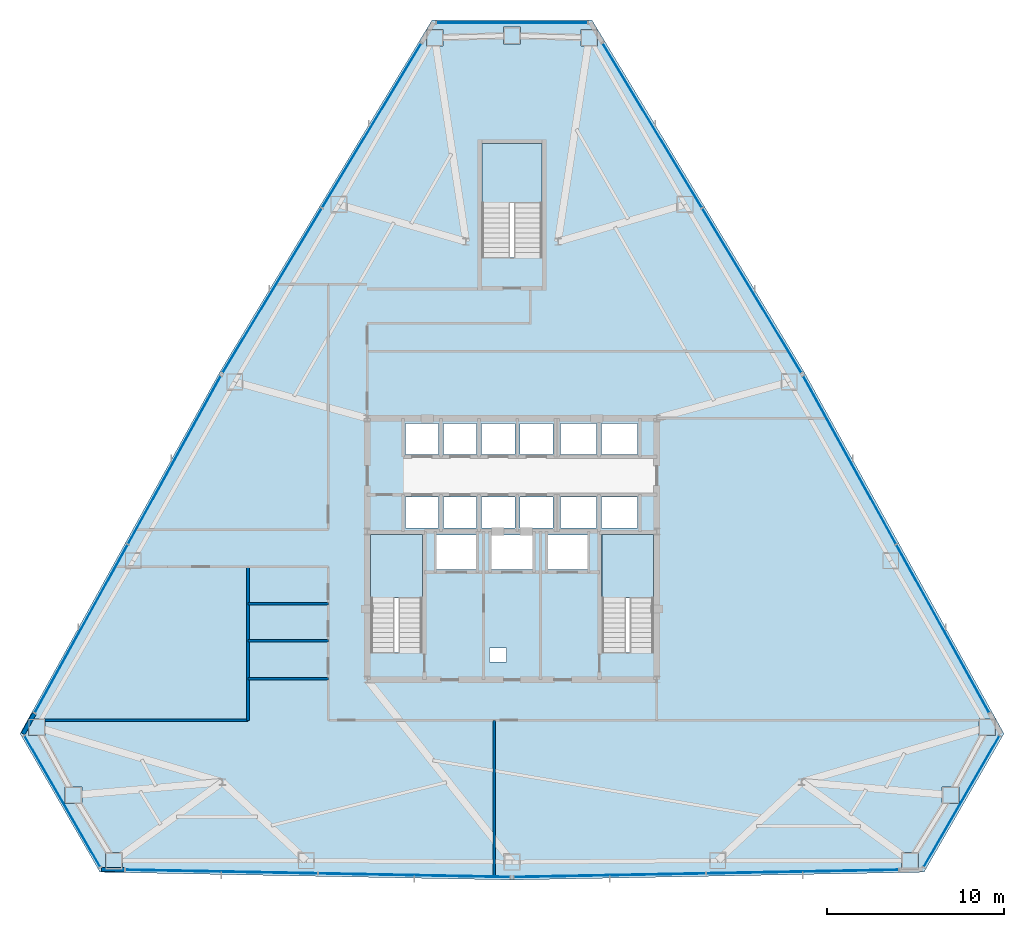
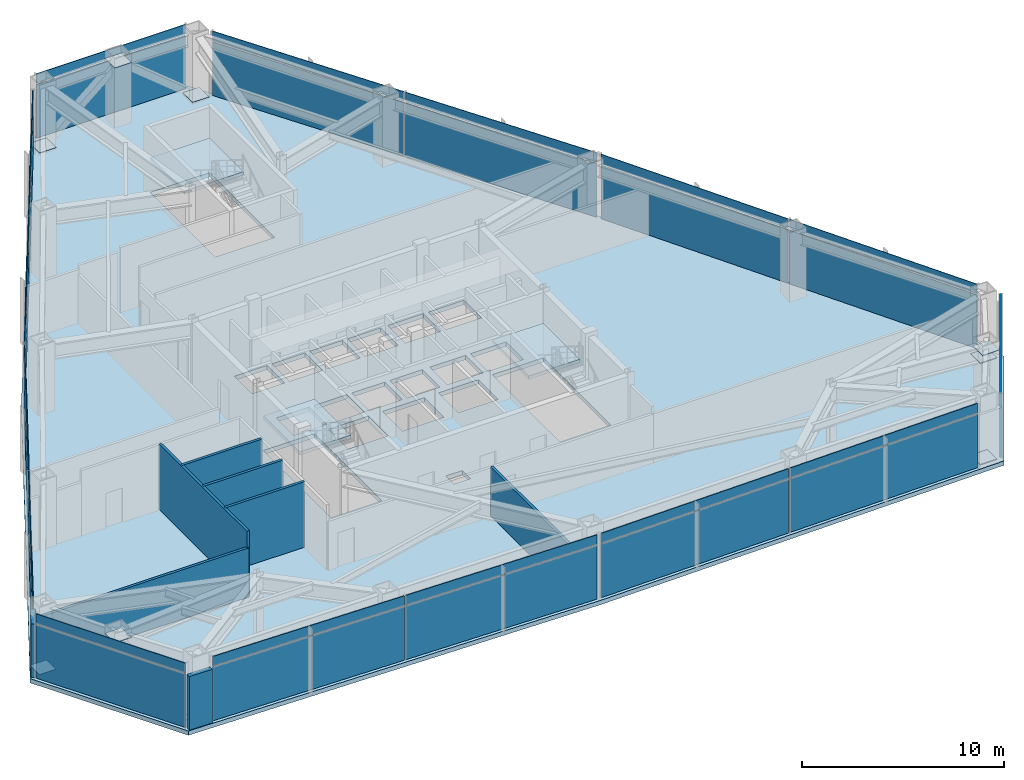
# One storey, part 9 of 13: 39 plates, 8 walls, 4 slabs, 12 elements without a shape of their own.
"""IFC4 building model written with IfcOpenShell, lengths in metres."""

from ifc_helpers import new_model, si_unit, direction, frame, frame_2d, origin, origin_2d, place, context, subcontext, project, spatial, polyline, rectangle, outline, extrude, source, transform, mapped, material, layer, layer_set, type_object, type_shapes, element, aggregate, save


model = new_model("IFC4")

# Units and contexts
model_context = context("Model", 3, precision=1e-05, world=origin(), true_north=direction((0.0, 1.0)))
body_context = subcontext(model_context, "Body", "Model", "MODEL_VIEW")
ifc_project = project(units=[si_unit("LENGTHUNIT", "METRE"), si_unit("AREAUNIT", "SQUARE_METRE"), si_unit("VOLUMEUNIT", "CUBIC_METRE"), si_unit("PLANEANGLEUNIT", "RADIAN"), si_unit("MASSUNIT", "GRAM", prefix="KILO")], contexts=[model_context])

# Site, building, storey
site_placement = place(None, origin())
site = spatial("IfcSite", under=ifc_project, at=site_placement, CompositionType="ELEMENT")
building_placement = place(site_placement, origin())
building = spatial("IfcBuilding", under=site, at=building_placement, Name="Varakhsha Concourse Tower", CompositionType="ELEMENT")
storey_placement = place(building_placement, frame((0.0, 0.0, 111.800048828125)))
storey = spatial("IfcBuildingStorey", under=building, at=storey_placement, Name="L32", CompositionType="ELEMENT", Elevation=111.800048828125)

# Slab
ifc_material_1 = material(Name="Concrete fc 45 MPa", Category="concrete")
ifc_layer_1 = layer(ifc_material_1, 0.260009765625, Name="SL-FLR-260")
ifc_layer_set_1 = layer_set([ifc_layer_1], Name="Concrete fc 45 MPa")
slab_type_1 = type_object("IfcSlabType", Name="SL-FLR-260", PredefinedType="FLOOR", material=ifc_layer_set_1)
slab_1_placement = place(storey_placement, frame((0.0, 0.0, -0.260009765625)))
element("IfcSlab", 1, at=slab_1_placement, inside=storey, type_object=slab_type_1, Name="L32 Composite Structural Slab", PredefinedType="FLOOR", context=body_context, shape_type="SweptSolid", body=[
    extrude(outline(polyline([(44.528564453125, 53.75634765625), (35.471435546875, 53.75634765625), (23.423095703125, 33.770751953125), (12.13916015625, 13.34375), (16.667724609375, 5.5), (40.0, 5.05859375), (63.332275390625, 5.5), (67.86083984375, 13.34375), (56.576904296875, 33.770751953125), (44.528564453125, 53.75634765625)]), holes=[polyline([(34.919921875, 17.93994140625), (34.919921875, 24.6298828125), (32.0, 24.6298828125), (32.0, 17.93994140625), (34.919921875, 17.93994140625)]), polyline([(48.02001953125, 17.93994140625), (48.02001953125, 24.6298828125), (45.10009765625, 24.6298828125), (45.10009765625, 17.93994140625), (48.02001953125, 17.93994140625)]), polyline([(41.699951171875, 40.300048828125), (41.699951171875, 46.75), (38.300048828125, 46.75), (38.300048828125, 40.300048828125), (41.699951171875, 40.300048828125)]), polyline([(33.9599609375, 29.159912109375), (35.840087890625, 29.159912109375), (35.840087890625, 30.89990234375), (33.9599609375, 30.89990234375), (33.9599609375, 29.159912109375)]), polyline([(36.1201171875, 29.159912109375), (38.0, 29.159912109375), (38.0, 30.89990234375), (36.1201171875, 30.89990234375), (36.1201171875, 29.159912109375)]), polyline([(38.280029296875, 29.159912109375), (40.159912109375, 29.159912109375), (40.159912109375, 30.89990234375), (38.280029296875, 30.89990234375), (38.280029296875, 29.159912109375)]), polyline([(40.43994140625, 29.159912109375), (42.320068359375, 29.159912109375), (42.320068359375, 30.89990234375), (40.43994140625, 30.89990234375), (40.43994140625, 29.159912109375)]), polyline([(33.9599609375, 25.0), (35.840087890625, 25.0), (35.840087890625, 26.739990234375), (33.9599609375, 26.739990234375), (33.9599609375, 25.0)]), polyline([(36.1201171875, 25.0), (38.0, 25.0), (38.0, 26.739990234375), (36.1201171875, 26.739990234375), (36.1201171875, 25.0)]), polyline([(38.280029296875, 25.0), (40.159912109375, 25.0), (40.159912109375, 26.739990234375), (38.280029296875, 26.739990234375), (38.280029296875, 25.0)]), polyline([(40.43994140625, 25.0), (42.320068359375, 25.0), (42.320068359375, 26.739990234375), (40.43994140625, 26.739990234375), (40.43994140625, 25.0)]), polyline([(42.739990234375, 29.159912109375), (44.780029296875, 29.159912109375), (44.780029296875, 30.89990234375), (42.739990234375, 30.89990234375), (42.739990234375, 29.159912109375)]), polyline([(45.06005859375, 29.159912109375), (47.10009765625, 29.159912109375), (47.10009765625, 30.89990234375), (45.06005859375, 30.89990234375), (45.06005859375, 29.159912109375)]), polyline([(42.739990234375, 25.0), (44.780029296875, 25.0), (44.780029296875, 26.739990234375), (42.739990234375, 26.739990234375), (42.739990234375, 25.0)]), polyline([(45.06005859375, 25.0), (47.10009765625, 25.0), (47.10009765625, 26.739990234375), (45.06005859375, 26.739990234375), (45.06005859375, 25.0)]), polyline([(35.7099609375, 22.639892578125), (37.989990234375, 22.639892578125), (37.989990234375, 24.60009765625), (35.7099609375, 24.60009765625), (35.7099609375, 22.639892578125)]), polyline([(42.010009765625, 22.639892578125), (44.2900390625, 22.639892578125), (44.2900390625, 24.60009765625), (42.010009765625, 24.60009765625), (42.010009765625, 22.639892578125)]), polyline([(38.81005859375, 22.639892578125), (41.18994140625, 22.639892578125), (41.18994140625, 24.60009765625), (38.81005859375, 24.60009765625), (38.81005859375, 22.639892578125)]), polyline([(38.719970703125, 17.39990234375), (39.679931640625, 17.39990234375), (39.679931640625, 18.199951171875), (38.719970703125, 18.199951171875), (38.719970703125, 17.39990234375)])]), origin(), (0.0, 0.0, 1.0), 0.260009765625),
])

# Stair, slab
stair_type_1 = type_object("IfcStairType", Name="ST-DOGLEG-1360", PredefinedType="HALF_TURN_STAIR", material=ifc_material_1)
stair_1_placement = place(storey_placement, origin())
stair_1 = element("IfcStair", 2, at=stair_1_placement, inside=storey, type_object=stair_type_1, Name="L32 Protected Exit Stair ST1", PredefinedType="HALF_TURN_STAIR")
ifc_layer_2 = layer(ifc_material_1, 0.199951171875, Name="SL-LAND-200")
ifc_layer_set_2 = layer_set([ifc_layer_2], Name="Concrete fc 45 MPa")
slab_type_2 = type_object("IfcSlabType", Name="SL-LAND-200", PredefinedType="LANDING", material=ifc_layer_set_2)
slab_2_placement = place(storey_placement, frame((0.0, 0.0, 1.89990234375)))
slab_2 = element("IfcSlab", 3, at=slab_2_placement, type_object=slab_type_2, Name="ST1 landing 1", PredefinedType="LANDING", context=body_context, shape_type="SweptSolid", body=[
    extrude(outline(polyline([(34.919921875, 21.02001953125), (34.919921875, 24.6298828125), (32.0, 24.6298828125), (32.0, 21.02001953125), (34.919921875, 21.02001953125)])), origin(), (0.0, 0.0, 1.0), 0.199951171875),
])
aggregate(stair_1, [slab_2])

stair_2_placement = place(storey_placement, origin())
stair_2 = element("IfcStair", 4, at=stair_2_placement, inside=storey, type_object=stair_type_1, Name="L32 Protected Exit Stair ST2", PredefinedType="HALF_TURN_STAIR")
slab_3_placement = place(storey_placement, frame((0.0, 0.0, 1.89990234375)))
slab_3 = element("IfcSlab", 5, at=slab_3_placement, type_object=slab_type_2, Name="ST2 landing 1", PredefinedType="LANDING", context=body_context, shape_type="SweptSolid", body=[
    extrude(outline(polyline([(48.02001953125, 21.02001953125), (48.02001953125, 24.6298828125), (45.10009765625, 24.6298828125), (45.10009765625, 21.02001953125), (48.02001953125, 21.02001953125)])), origin(), (0.0, 0.0, 1.0), 0.199951171875),
])
aggregate(stair_2, [slab_3])

stair_type_2 = type_object("IfcStairType", Name="ST-DOGLEG-1600", PredefinedType="HALF_TURN_STAIR", material=ifc_material_1)
stair_3_placement = place(storey_placement, origin())
stair_3 = element("IfcStair", 6, at=stair_3_placement, inside=storey, type_object=stair_type_2, Name="L32 Protected Exit Stair ST5", PredefinedType="HALF_TURN_STAIR")
slab_4_placement = place(storey_placement, frame((0.0, 0.0, 1.89990234375)))
slab_4 = element("IfcSlab", 7, at=slab_4_placement, type_object=slab_type_2, Name="ST5 landing 1", PredefinedType="LANDING", context=body_context, shape_type="SweptSolid", body=[
    extrude(outline(polyline([(41.699951171875, 43.3798828125), (41.699951171875, 46.75), (38.300048828125, 46.75), (38.300048828125, 43.3798828125), (41.699951171875, 43.3798828125)])), origin(), (0.0, 0.0, 1.0), 0.199951171875),
])
aggregate(stair_3, [slab_4])

# Plates
ifc_material_2 = material(Name="Structural Steel ASTM A572 Grade 50", Category="steel")
ifc_layer_3 = layer(ifc_material_2, 0.030029296875, Name="PL-ENDCAP-950")
ifc_layer_set_3 = layer_set([ifc_layer_3], Name="Structural Steel ASTM A572 Grade 50")
plate_type_1 = type_object("IfcPlateType", Name="PL-ENDCAP-950", PredefinedType="USERDEFINED", material=ifc_layer_set_3)
shared_shape_1 = source(origin(), body_context, "Body", "SweptSolid", [
    extrude(rectangle(XDim=0.949951171875, YDim=0.949951171875, at=origin_2d()), origin(), (0.0, 0.0, 1.0), 0.030029296875),
])
type_shapes(plate_type_1, [shared_shape_1])
for number, where, z_axis, x_axis, name in (
    (8, (44.375244140625, 52.756103515625, 0.10498046875), (0.0, 0.0, 1.0), (1.0, 0.0, 0.0), "Hollow Section End Cap GP-NODE-L32-0304"),
    (9, (40.0, 52.876220703125, 3.64501953125), (0.0, 0.0, 1.0), (1.0, 0.0, 0.0), "Hollow Section End Cap GP-NODE-L32-0305"),
    (10, (35.624755859375, 52.756103515625, 0.10498046875), (0.0, 0.0, 1.0), (1.0, 0.0, 0.0), "Hollow Section End Cap GP-NODE-L32-0306"),
    (11, (13.08203125, 13.711181640625, 0.10498046875), (0.0, 0.0, 1.0), (1.0, 0.0, 0.0), "Hollow Section End Cap GP-NODE-L32-0307"),
    (12, (15.16552734375, 9.86181640625, 3.64501953125), (0.0, 0.0, 1.0), (1.0, 0.0, 0.0), "Hollow Section End Cap GP-NODE-L32-0308"),
    (13, (17.45751953125, 6.1328125, 0.10498046875), (0.0, 0.0, 1.0), (1.0, 0.0, 0.0), "Hollow Section End Cap GP-NODE-L32-0309"),
    (14, (62.54248046875, 6.1328125, 0.10498046875), (0.0, 0.0, 1.0), (1.0, 0.0, 0.0), "Hollow Section End Cap GP-NODE-L32-0310"),
    (15, (64.83447265625, 9.86181640625, 3.64501953125), (0.0, 0.0, 1.0), (1.0, 0.0, 0.0), "Hollow Section End Cap GP-NODE-L32-0311"),
    (16, (66.91796875, 13.711181640625, 0.10498046875), (0.0, 0.0, 1.0), (1.0, 0.0, 0.0), "Hollow Section End Cap GP-NODE-L32-0312"),
):
    element("IfcPlate", number, at=place(storey_placement, frame(where, z_axis=z_axis, x_axis=x_axis)), inside=storey, type_object=plate_type_1, Name=name, ObjectType="END PLATE", PredefinedType="USERDEFINED", context=body_context, shape_type="MappedRepresentation", body=[
        mapped(shared_shape_1, transform((0.0, 0.0, 0.0), scale=1.0)),
    ])

# Curtain wall, plate
ifc_material_3 = material(Name="Anodised Bronze Architectural Aluminium AA 6063-T6", Category="aluminium")
ifc_layer_4 = layer(ifc_material_3, 0.2099609375, Name="CW-SYS-04")
ifc_layer_set_4 = layer_set([ifc_layer_4], Name="Anodised Bronze Architectural Aluminium AA 6063-T6")
curtain_wall_type = type_object("IfcCurtainWallType", Name="CW-SYS-04", PredefinedType="NOTDEFINED", material=ifc_layer_set_4)
curtain_wall_1_placement = place(storey_placement, origin())
curtain_wall_1 = element("IfcCurtainWall", 17, at=curtain_wall_1_placement, inside=storey, type_object=curtain_wall_type, Name="L32 Chamfer Curtain Wall F1", PredefinedType="NOTDEFINED")
ifc_material_4 = material(Name="Insulated Anodised Bronze Aluminium Spandrel 36 mm", Category="aluminium")
ifc_layer_5 = layer(ifc_material_4, 0.035888671875, Name="CWP-SPN-36")
ifc_layer_set_5 = layer_set([ifc_layer_5], Name="Insulated Anodised Bronze Aluminium Spandrel 36 mm")
plate_type_2 = type_object("IfcPlateType", Name="CWP-SPN-36", PredefinedType="USERDEFINED", material=ifc_layer_set_5)
shared_shape_2 = source(origin(), body_context, "Body", "SweptSolid", [
    extrude(rectangle(XDim=8.5380859375, YDim=0.035888671875, at=origin_2d()), origin(), (0.0, 0.0, 1.0), 3.240966796875),
])
type_shapes(plate_type_2, [shared_shape_2])
plate_1_placement = place(storey_placement, frame((40.0, 53.59619140625, 0.03466796875), z_axis=(0.0, 0.0, 1.0), x_axis=(1.0, 0.0, 0.0)))
plate_1 = element("IfcPlate", 18, at=plate_1_placement, type_object=plate_type_2, Name="CW-L32-F1 Panel 00-00", ObjectType="SPANDREL", PredefinedType="USERDEFINED", context=body_context, shape_type="MappedRepresentation", body=[
    mapped(shared_shape_2, transform((0.0, 0.0, 0.0), scale=1.0)),
])

curtain_wall_2_placement = place(storey_placement, origin())
curtain_wall_2 = element("IfcCurtainWall", 19, at=curtain_wall_2_placement, inside=storey, type_object=curtain_wall_type, Name="L32 Chamfer Curtain Wall F4", PredefinedType="NOTDEFINED")
plate_2_placement = place(storey_placement, frame((14.5419921875, 9.501953125, 0.03466796875), z_axis=(0.0, 0.0, 1.0), x_axis=(-0.499992442484, 0.866029767075, 0.0)))
plate_2 = element("IfcPlate", 20, at=plate_2_placement, type_object=plate_type_2, Name="CW-L32-F4 Panel 00-00", ObjectType="SPANDREL", PredefinedType="USERDEFINED", context=body_context, shape_type="MappedRepresentation", body=[
    mapped(shared_shape_2, transform((0.0, 0.0, 0.0), scale=1.0)),
])

curtain_wall_3_placement = place(storey_placement, origin())
curtain_wall_3 = element("IfcCurtainWall", 21, at=curtain_wall_3_placement, inside=storey, type_object=curtain_wall_type, Name="L32 Chamfer Curtain Wall F7", PredefinedType="NOTDEFINED")
plate_3_placement = place(storey_placement, frame((65.4580078125, 9.501953125, 0.03466796875), z_axis=(0.0, 0.0, 1.0), x_axis=(-0.499992442484, -0.866029767075, 0.0)))
plate_3 = element("IfcPlate", 22, at=plate_3_placement, type_object=plate_type_2, Name="CW-L32-F7 Panel 00-00", ObjectType="SPANDREL", PredefinedType="USERDEFINED", context=body_context, shape_type="MappedRepresentation", body=[
    mapped(shared_shape_2, transform((0.0, 0.0, 0.0), scale=1.0)),
])

# Plate
ifc_material_5 = material(Name="Glazed Turquoise-Bronze Ceramic Spandrel Panel 38 mm", Category="ceramic")
ifc_layer_6 = layer(ifc_material_5, 0.0380859375, Name="CWP-SPN-38")
ifc_layer_set_6 = layer_set([ifc_layer_6], Name="Glazed Turquoise-Bronze Ceramic Spandrel Panel 38 mm")
plate_type_3 = type_object("IfcPlateType", Name="CWP-SPN-38", PredefinedType="USERDEFINED", material=ifc_layer_set_6)
shared_shape_3 = source(origin(), body_context, "Body", "SweptSolid", [
    extrude(rectangle(XDim=8.5380859375, YDim=0.0380859375, at=origin_2d()), origin(), (0.0, 0.0, 1.0), 0.5810546875),
])
plate_4_placement = place(storey_placement, frame((40.0, 53.59619140625, 3.344482421875), z_axis=(0.0, 0.0, 1.0), x_axis=(1.0, 0.0, 0.0)))
plate_4 = element("IfcPlate", 23, at=plate_4_placement, type_object=plate_type_3, Name="CW-L32-F1 Panel 00-01", ObjectType="SPANDREL", PredefinedType="USERDEFINED", context=body_context, shape_type="MappedRepresentation", body=[
    mapped(shared_shape_3, transform((0.0, 0.0, 0.0), scale=1.0)),
])

aggregate(curtain_wall_1, [plate_1, plate_4])

plate_5_placement = place(storey_placement, frame((14.5419921875, 9.501953125, 3.344482421875), z_axis=(0.0, 0.0, 1.0), x_axis=(-0.499992442484, 0.866029767075, 0.0)))
plate_5 = element("IfcPlate", 24, at=plate_5_placement, type_object=plate_type_3, Name="CW-L32-F4 Panel 00-01", ObjectType="SPANDREL", PredefinedType="USERDEFINED", context=body_context, shape_type="MappedRepresentation", body=[
    mapped(shared_shape_3, transform((0.0, 0.0, 0.0), scale=1.0)),
])

aggregate(curtain_wall_2, [plate_2, plate_5])

plate_6_placement = place(storey_placement, frame((65.4580078125, 9.501953125, 3.344482421875), z_axis=(0.0, 0.0, 1.0), x_axis=(-0.499992442484, -0.866029767075, 0.0)))
plate_6 = element("IfcPlate", 25, at=plate_6_placement, type_object=plate_type_3, Name="CW-L32-F7 Panel 00-01", ObjectType="SPANDREL", PredefinedType="USERDEFINED", context=body_context, shape_type="MappedRepresentation", body=[
    mapped(shared_shape_3, transform((0.0, 0.0, 0.0), scale=1.0)),
])

aggregate(curtain_wall_3, [plate_3, plate_6])

# Curtain wall, plates
curtain_wall_4_placement = place(storey_placement, origin())
curtain_wall_4 = element("IfcCurtainWall", 26, at=curtain_wall_4_placement, inside=storey, type_object=curtain_wall_type, Name="L32 Crystal Curtain Wall F2", PredefinedType="NOTDEFINED")
ifc_material_6 = material(Name="Low-E Triple Insulating Glass IGU 44 mm", Category="glass")
ifc_layer_7 = layer(ifc_material_6, 0.0439453125, Name="CWP-IGU-44")
ifc_layer_set_7 = layer_set([ifc_layer_7], Name="Low-E Triple Insulating Glass IGU 44 mm")
plate_type_4 = type_object("IfcPlateType", Name="CWP-IGU-44", PredefinedType="CURTAIN_PANEL", material=ifc_layer_set_7)
shared_shape_4 = source(origin(), body_context, "Body", "SweptSolid", [
    extrude(rectangle(XDim=10.839111328125, YDim=0.0439453125, at=origin_2d()), origin(), (0.0, 0.0, 1.0), 3.240966796875),
])
plate_7_placement = place(storey_placement, frame((26.419921875, 38.431884765625, 0.03466796875), z_axis=(0.0, 0.0, 1.0), x_axis=(0.516289709685, 0.856413997827, 0.0)))
plate_7 = element("IfcPlate", 27, at=plate_7_placement, type_object=plate_type_4, Name="CW-L32-F2 Panel 00-00", PredefinedType="CURTAIN_PANEL", context=body_context, shape_type="MappedRepresentation", body=[
    mapped(shared_shape_4, transform((0.0, 0.0, 0.0), scale=1.0)),
])
plate_8_placement = place(storey_placement, frame((32.056884765625, 47.782470703125, 0.03466796875), z_axis=(0.0, 0.0, 1.0), x_axis=(0.516289709685, 0.856413997827, 0.0)))
plate_8 = element("IfcPlate", 28, at=plate_8_placement, type_object=plate_type_4, Name="CW-L32-F2 Panel 01-00", PredefinedType="CURTAIN_PANEL", context=body_context, shape_type="MappedRepresentation", body=[
    mapped(shared_shape_4, transform((0.0, 0.0, 0.0), scale=1.0)),
])

# Curtain wall, plate
curtain_wall_5_placement = place(storey_placement, origin())
curtain_wall_5 = element("IfcCurtainWall", 29, at=curtain_wall_5_placement, inside=storey, type_object=curtain_wall_type, Name="L32 Crystal Curtain Wall F3", PredefinedType="NOTDEFINED")
plate_9_placement = place(storey_placement, frame((20.884765625, 28.8447265625, 0.03466796875), z_axis=(0.0, 0.0, 1.0), x_axis=(0.483536006627, 0.875324471436, 0.0)))
plate_9 = element("IfcPlate", 30, at=plate_9_placement, type_object=plate_type_4, Name="CW-L32-F3 Panel 01-00", PredefinedType="CURTAIN_PANEL", context=body_context, shape_type="MappedRepresentation", body=[
    mapped(shared_shape_4, transform((0.0, 0.0, 0.0), scale=1.0)),
])

# Curtain wall, plates
curtain_wall_6_placement = place(storey_placement, origin())
curtain_wall_6 = element("IfcCurtainWall", 31, at=curtain_wall_6_placement, inside=storey, type_object=curtain_wall_type, Name="L32 Crystal Curtain Wall F5", PredefinedType="NOTDEFINED")
plate_10_placement = place(storey_placement, frame((34.46484375, 5.323486328125, 0.03466796875), z_axis=(0.0, 0.0, 1.0), x_axis=(-0.99982119913, 0.018909515352, 0.0)))
plate_10 = element("IfcPlate", 32, at=plate_10_placement, type_object=plate_type_4, Name="CW-L32-F5 Panel 00-00", PredefinedType="CURTAIN_PANEL", context=body_context, shape_type="MappedRepresentation", body=[
    mapped(shared_shape_4, transform((0.0, 0.0, 0.0), scale=1.0)),
])
plate_11_placement = place(storey_placement, frame((23.548583984375, 5.52978515625, 0.03466796875), z_axis=(0.0, 0.0, 1.0), x_axis=(-0.99982119913, 0.018909515352, 0.0)))
plate_11 = element("IfcPlate", 33, at=plate_11_placement, type_object=plate_type_4, Name="CW-L32-F5 Panel 01-00", PredefinedType="CURTAIN_PANEL", context=body_context, shape_type="MappedRepresentation", body=[
    mapped(shared_shape_4, transform((0.0, 0.0, 0.0), scale=1.0)),
])

curtain_wall_7_placement = place(storey_placement, origin())
curtain_wall_7 = element("IfcCurtainWall", 34, at=curtain_wall_7_placement, inside=storey, type_object=curtain_wall_type, Name="L32 Crystal Curtain Wall F6", PredefinedType="NOTDEFINED")
plate_12_placement = place(storey_placement, frame((56.451416015625, 5.52978515625, 0.03466796875), z_axis=(0.0, 0.0, 1.0), x_axis=(-0.99982119913, -0.018909515352, 0.0)))
plate_12 = element("IfcPlate", 35, at=plate_12_placement, type_object=plate_type_4, Name="CW-L32-F6 Panel 00-00", PredefinedType="CURTAIN_PANEL", context=body_context, shape_type="MappedRepresentation", body=[
    mapped(shared_shape_4, transform((0.0, 0.0, 0.0), scale=1.0)),
])
plate_13_placement = place(storey_placement, frame((45.53515625, 5.323486328125, 0.03466796875), z_axis=(0.0, 0.0, 1.0), x_axis=(-0.99982119913, -0.018909515352, 0.0)))
plate_13 = element("IfcPlate", 36, at=plate_13_placement, type_object=plate_type_4, Name="CW-L32-F6 Panel 01-00", PredefinedType="CURTAIN_PANEL", context=body_context, shape_type="MappedRepresentation", body=[
    mapped(shared_shape_4, transform((0.0, 0.0, 0.0), scale=1.0)),
])

# Curtain wall, plate
curtain_wall_8_placement = place(storey_placement, origin())
curtain_wall_8 = element("IfcCurtainWall", 37, at=curtain_wall_8_placement, inside=storey, type_object=curtain_wall_type, Name="L32 Crystal Curtain Wall F8", PredefinedType="NOTDEFINED")
plate_14_placement = place(storey_placement, frame((64.39453125, 19.287841796875, 0.03466796875), z_axis=(0.0, 0.0, 1.0), x_axis=(0.483536006627, -0.875324471436, 0.0)))
plate_14 = element("IfcPlate", 38, at=plate_14_placement, type_object=plate_type_4, Name="CW-L32-F8 Panel 01-00", PredefinedType="CURTAIN_PANEL", context=body_context, shape_type="MappedRepresentation", body=[
    mapped(shared_shape_4, transform((0.0, 0.0, 0.0), scale=1.0)),
])

# Curtain wall, plates
curtain_wall_9_placement = place(storey_placement, origin())
curtain_wall_9 = element("IfcCurtainWall", 39, at=curtain_wall_9_placement, inside=storey, type_object=curtain_wall_type, Name="L32 Crystal Curtain Wall F9", PredefinedType="NOTDEFINED")
plate_15_placement = place(storey_placement, frame((47.943115234375, 47.7822265625, 0.03466796875), z_axis=(0.0, 0.0, 1.0), x_axis=(0.516289709685, -0.856413997827, 0.0)))
plate_15 = element("IfcPlate", 40, at=plate_15_placement, type_object=plate_type_4, Name="CW-L32-F9 Panel 00-00", PredefinedType="CURTAIN_PANEL", context=body_context, shape_type="MappedRepresentation", body=[
    mapped(shared_shape_4, transform((0.0, 0.0, 0.0), scale=1.0)),
])
plate_16_placement = place(storey_placement, frame((53.580078125, 38.431884765625, 0.03466796875), z_axis=(0.0, 0.0, 1.0), x_axis=(0.516289709685, -0.856413997827, 0.0)))
plate_16 = element("IfcPlate", 41, at=plate_16_placement, type_object=plate_type_4, Name="CW-L32-F9 Panel 01-00", PredefinedType="CURTAIN_PANEL", context=body_context, shape_type="MappedRepresentation", body=[
    mapped(shared_shape_4, transform((0.0, 0.0, 0.0), scale=1.0)),
])

# Plate
shared_shape_5 = source(origin(), body_context, "Body", "SweptSolid", [
    extrude(rectangle(XDim=10.839111328125, YDim=0.0380859375, at=origin_2d()), origin(), (0.0, 0.0, 1.0), 0.5810546875),
])
plate_17_placement = place(storey_placement, frame((26.419921875, 38.431884765625, 3.344482421875), z_axis=(0.0, 0.0, 1.0), x_axis=(0.516289709685, 0.856413997827, 0.0)))
plate_17 = element("IfcPlate", 42, at=plate_17_placement, type_object=plate_type_3, Name="CW-L32-F2 Panel 00-01", ObjectType="SPANDREL", PredefinedType="USERDEFINED", context=body_context, shape_type="MappedRepresentation", body=[
    mapped(shared_shape_5, transform((0.0, 0.0, 0.0), scale=1.0)),
])

plate_18_placement = place(storey_placement, frame((32.056884765625, 47.782470703125, 3.344482421875), z_axis=(0.0, 0.0, 1.0), x_axis=(0.516289709685, 0.856413997827, 0.0)))
plate_18 = element("IfcPlate", 43, at=plate_18_placement, type_object=plate_type_3, Name="CW-L32-F2 Panel 01-01", ObjectType="SPANDREL", PredefinedType="USERDEFINED", context=body_context, shape_type="MappedRepresentation", body=[
    mapped(shared_shape_5, transform((0.0, 0.0, 0.0), scale=1.0)),
])

aggregate(curtain_wall_4, [plate_7, plate_17, plate_8, plate_18])

plate_19_placement = place(storey_placement, frame((20.884765625, 28.8447265625, 3.344482421875), z_axis=(0.0, 0.0, 1.0), x_axis=(0.483536006627, 0.875324471436, 0.0)))
plate_19 = element("IfcPlate", 44, at=plate_19_placement, type_object=plate_type_3, Name="CW-L32-F3 Panel 01-01", ObjectType="SPANDREL", PredefinedType="USERDEFINED", context=body_context, shape_type="MappedRepresentation", body=[
    mapped(shared_shape_5, transform((0.0, 0.0, 0.0), scale=1.0)),
])

plate_20_placement = place(storey_placement, frame((34.46484375, 5.323486328125, 3.344482421875), z_axis=(0.0, 0.0, 1.0), x_axis=(-0.99982119913, 0.018909515352, 0.0)))
plate_20 = element("IfcPlate", 45, at=plate_20_placement, type_object=plate_type_3, Name="CW-L32-F5 Panel 00-01", ObjectType="SPANDREL", PredefinedType="USERDEFINED", context=body_context, shape_type="MappedRepresentation", body=[
    mapped(shared_shape_5, transform((0.0, 0.0, 0.0), scale=1.0)),
])

plate_21_placement = place(storey_placement, frame((23.548583984375, 5.52978515625, 3.344482421875), z_axis=(0.0, 0.0, 1.0), x_axis=(-0.99982119913, 0.018909515352, 0.0)))
plate_21 = element("IfcPlate", 46, at=plate_21_placement, type_object=plate_type_3, Name="CW-L32-F5 Panel 01-01", ObjectType="SPANDREL", PredefinedType="USERDEFINED", context=body_context, shape_type="MappedRepresentation", body=[
    mapped(shared_shape_5, transform((0.0, 0.0, 0.0), scale=1.0)),
])

aggregate(curtain_wall_6, [plate_10, plate_20, plate_11, plate_21])

plate_22_placement = place(storey_placement, frame((56.451416015625, 5.52978515625, 3.344482421875), z_axis=(0.0, 0.0, 1.0), x_axis=(-0.99982119913, -0.018909515352, 0.0)))
plate_22 = element("IfcPlate", 47, at=plate_22_placement, type_object=plate_type_3, Name="CW-L32-F6 Panel 00-01", ObjectType="SPANDREL", PredefinedType="USERDEFINED", context=body_context, shape_type="MappedRepresentation", body=[
    mapped(shared_shape_5, transform((0.0, 0.0, 0.0), scale=1.0)),
])

plate_23_placement = place(storey_placement, frame((45.53515625, 5.323486328125, 3.344482421875), z_axis=(0.0, 0.0, 1.0), x_axis=(-0.99982119913, -0.018909515352, 0.0)))
plate_23 = element("IfcPlate", 48, at=plate_23_placement, type_object=plate_type_3, Name="CW-L32-F6 Panel 01-01", ObjectType="SPANDREL", PredefinedType="USERDEFINED", context=body_context, shape_type="MappedRepresentation", body=[
    mapped(shared_shape_5, transform((0.0, 0.0, 0.0), scale=1.0)),
])

aggregate(curtain_wall_7, [plate_12, plate_22, plate_13, plate_23])

plate_24_placement = place(storey_placement, frame((64.39453125, 19.287841796875, 3.344482421875), z_axis=(0.0, 0.0, 1.0), x_axis=(0.483536006627, -0.875324471436, 0.0)))
plate_24 = element("IfcPlate", 49, at=plate_24_placement, type_object=plate_type_3, Name="CW-L32-F8 Panel 01-01", ObjectType="SPANDREL", PredefinedType="USERDEFINED", context=body_context, shape_type="MappedRepresentation", body=[
    mapped(shared_shape_5, transform((0.0, 0.0, 0.0), scale=1.0)),
])

plate_25_placement = place(storey_placement, frame((47.943115234375, 47.7822265625, 3.344482421875), z_axis=(0.0, 0.0, 1.0), x_axis=(0.516289709685, -0.856413997827, 0.0)))
plate_25 = element("IfcPlate", 50, at=plate_25_placement, type_object=plate_type_3, Name="CW-L32-F9 Panel 00-01", ObjectType="SPANDREL", PredefinedType="USERDEFINED", context=body_context, shape_type="MappedRepresentation", body=[
    mapped(shared_shape_5, transform((0.0, 0.0, 0.0), scale=1.0)),
])

plate_26_placement = place(storey_placement, frame((53.580078125, 38.431884765625, 3.344482421875), z_axis=(0.0, 0.0, 1.0), x_axis=(0.516289709685, -0.856413997827, 0.0)))
plate_26 = element("IfcPlate", 51, at=plate_26_placement, type_object=plate_type_3, Name="CW-L32-F9 Panel 01-01", ObjectType="SPANDREL", PredefinedType="USERDEFINED", context=body_context, shape_type="MappedRepresentation", body=[
    mapped(shared_shape_5, transform((0.0, 0.0, 0.0), scale=1.0)),
])

aggregate(curtain_wall_9, [plate_15, plate_25, plate_16, plate_26])

shared_shape_6 = source(origin(), body_context, "Body", "SweptSolid", [
    extrude(rectangle(XDim=10.83935546875, YDim=0.0439453125, at=origin_2d()), origin(), (0.0, 0.0, 1.0), 3.240966796875),
])
type_shapes(plate_type_4, [shared_shape_4, shared_shape_6])
plate_27_placement = place(storey_placement, frame((15.60546875, 19.287841796875, 0.03466796875), z_axis=(0.0, 0.0, 1.0), x_axis=(0.483536006627, 0.875324471436, 0.0)))
plate_27 = element("IfcPlate", 52, at=plate_27_placement, type_object=plate_type_4, Name="CW-L32-F3 Panel 00-00", PredefinedType="CURTAIN_PANEL", context=body_context, shape_type="MappedRepresentation", body=[
    mapped(shared_shape_6, transform((0.0, 0.0, 0.0), scale=1.0)),
])

plate_28_placement = place(storey_placement, frame((59.115234375, 28.8447265625, 0.03466796875), z_axis=(0.0, 0.0, 1.0), x_axis=(0.483536006627, -0.875324471436, 0.0)))
plate_28 = element("IfcPlate", 53, at=plate_28_placement, type_object=plate_type_4, Name="CW-L32-F8 Panel 00-00", PredefinedType="CURTAIN_PANEL", context=body_context, shape_type="MappedRepresentation", body=[
    mapped(shared_shape_6, transform((0.0, 0.0, 0.0), scale=1.0)),
])

shared_shape_7 = source(origin(), body_context, "Body", "SweptSolid", [
    extrude(rectangle(XDim=10.83935546875, YDim=0.0380859375, at=origin_2d()), origin(), (0.0, 0.0, 1.0), 0.5810546875),
])
type_shapes(plate_type_3, [shared_shape_3, shared_shape_5, shared_shape_7])
plate_29_placement = place(storey_placement, frame((15.60546875, 19.287841796875, 3.344482421875), z_axis=(0.0, 0.0, 1.0), x_axis=(0.483536006627, 0.875324471436, 0.0)))
plate_29 = element("IfcPlate", 54, at=plate_29_placement, type_object=plate_type_3, Name="CW-L32-F3 Panel 00-01", ObjectType="SPANDREL", PredefinedType="USERDEFINED", context=body_context, shape_type="MappedRepresentation", body=[
    mapped(shared_shape_7, transform((0.0, 0.0, 0.0), scale=1.0)),
])

aggregate(curtain_wall_5, [plate_27, plate_29, plate_9, plate_19])

plate_30_placement = place(storey_placement, frame((59.115234375, 28.8447265625, 3.344482421875), z_axis=(0.0, 0.0, 1.0), x_axis=(0.483536006627, -0.875324471436, 0.0)))
plate_30 = element("IfcPlate", 55, at=plate_30_placement, type_object=plate_type_3, Name="CW-L32-F8 Panel 00-01", ObjectType="SPANDREL", PredefinedType="USERDEFINED", context=body_context, shape_type="MappedRepresentation", body=[
    mapped(shared_shape_7, transform((0.0, 0.0, 0.0), scale=1.0)),
])

aggregate(curtain_wall_8, [plate_28, plate_30, plate_14, plate_24])

# Walls
ifc_layer_8 = layer(ifc_material_1, 0.239990234375, Name="WL-EXT-CRN-240")
ifc_layer_set_8 = layer_set([ifc_layer_8], Name="Concrete fc 45 MPa")
wall_type_1 = type_object("IfcWallType", Name="WL-EXT-CRN-240", PredefinedType="SHEAR", material=ifc_layer_set_8)
for number, where, z_axis, x_axis, name in (
    (56, (12.94775390625, 14.4765625, 0.0), (0.0, 0.0, 1.0), (-0.483580718164, -0.875299770947, 0.0), "L32 Wind-Corner Shoulder Wall F3"),
    (57, (16.74560546875, 5.658447265625, 0.0), (0.0, 0.0, 1.0), (0.999822181087, -0.018857523864, 0.0), "L32 Wind-Corner Shoulder Wall F5"),
):
    element("IfcWall", number, at=place(storey_placement, frame(where, z_axis=z_axis, x_axis=x_axis)), inside=storey, type_object=wall_type_1, Name=name, PredefinedType="SHEAR", context=body_context, shape_type="SweptSolid", body=[
        extrude(rectangle(XDim=1.3076171875, YDim=0.239990234375, at=frame_2d((0.65380859375, 0.0))), origin(), (0.0, 0.0, 1.0), 3.242919921875),
    ])
ifc_material_7 = material(Name="Fire-Rated Type X Gypsum Partition Assembly", Category="gypsum")
ifc_layer_9 = layer(ifc_material_7, 0.14990234375, Name="WL-PART-150")
ifc_layer_set_9 = layer_set([ifc_layer_9], Name="Fire-Rated Type X Gypsum Partition Assembly")
wall_type_2 = type_object("IfcWallType", Name="WL-PART-150", PredefinedType="PARTITIONING", material=ifc_layer_set_9)
wall_1_placement = place(storey_placement, frame((25.050048828125, 14.10009765625, 0.0), z_axis=(0.0, 0.0, 1.0), x_axis=(0.0, 1.0, 0.0)))
element("IfcWall", 58, at=wall_1_placement, inside=storey, type_object=wall_type_2, Name="L32 Wall C2WC-W-L32", PredefinedType="PARTITIONING", context=body_context, shape_type="SweptSolid", body=[
    extrude(rectangle(XDim=8.699951171875, YDim=0.14990234375, at=frame_2d((4.35009765625, 0.0))), origin(), (0.0, 0.0, 1.0), 3.9599609375),
])
for number, where, z_axis, x_axis, name in (
    (59, (25.050048828125, 16.449951171875, 0.0), (0.0, 0.0, 1.0), (1.0, 0.0, 0.0), "L32 Wall C2WC-S-L32"),
    (60, (25.050048828125, 18.60009765625, 0.0), (0.0, 0.0, 1.0), (1.0, 0.0, 0.0), "L32 Wall C2WC-D1-L32"),
    (61, (25.050048828125, 20.699951171875, 0.0), (0.0, 0.0, 1.0), (1.0, 0.0, 0.0), "L32 Wall C2WC-D2-L32"),
):
    element("IfcWall", number, at=place(storey_placement, frame(where, z_axis=z_axis, x_axis=x_axis)), inside=storey, type_object=wall_type_2, Name=name, PredefinedType="PARTITIONING", context=body_context, shape_type="SweptSolid", body=[
        extrude(rectangle(XDim=4.550048828125, YDim=0.14990234375, at=frame_2d((2.27490234375, 0.0))), origin(), (0.0, 0.0, 1.0), 3.9599609375),
    ])
wall_2_placement = place(storey_placement, frame((39.0, 5.24267578125, 0.0), z_axis=(0.0, 0.0, 1.0), x_axis=(0.0, 1.0, 0.0)))
element("IfcWall", 62, at=wall_2_placement, inside=storey, type_object=wall_type_2, Name="L32 Wall ODIV-S1-L32", PredefinedType="PARTITIONING", context=body_context, shape_type="SweptSolid", body=[
    extrude(rectangle(XDim=8.857421875, YDim=0.14990234375, at=frame_2d((4.4287109375, 0.0))), origin(), (0.0, 0.0, 1.0), 2.974853515625),
])
wall_3_placement = place(storey_placement, frame((12.74560546875, 14.10009765625, 0.0), z_axis=(0.0, 0.0, 1.0), x_axis=(1.0, 0.0, 0.0)))
element("IfcWall", 63, at=wall_3_placement, inside=storey, type_object=wall_type_2, Name="L32 Wall ODIV-SWB-L32", PredefinedType="PARTITIONING", context=body_context, shape_type="SweptSolid", body=[
    extrude(rectangle(XDim=12.304443359375, YDim=0.14990234375, at=frame_2d((6.15234375, 0.0))), origin(), (0.0, 0.0, 1.0), 2.974853515625),
])

save(model, "model.ifc")
